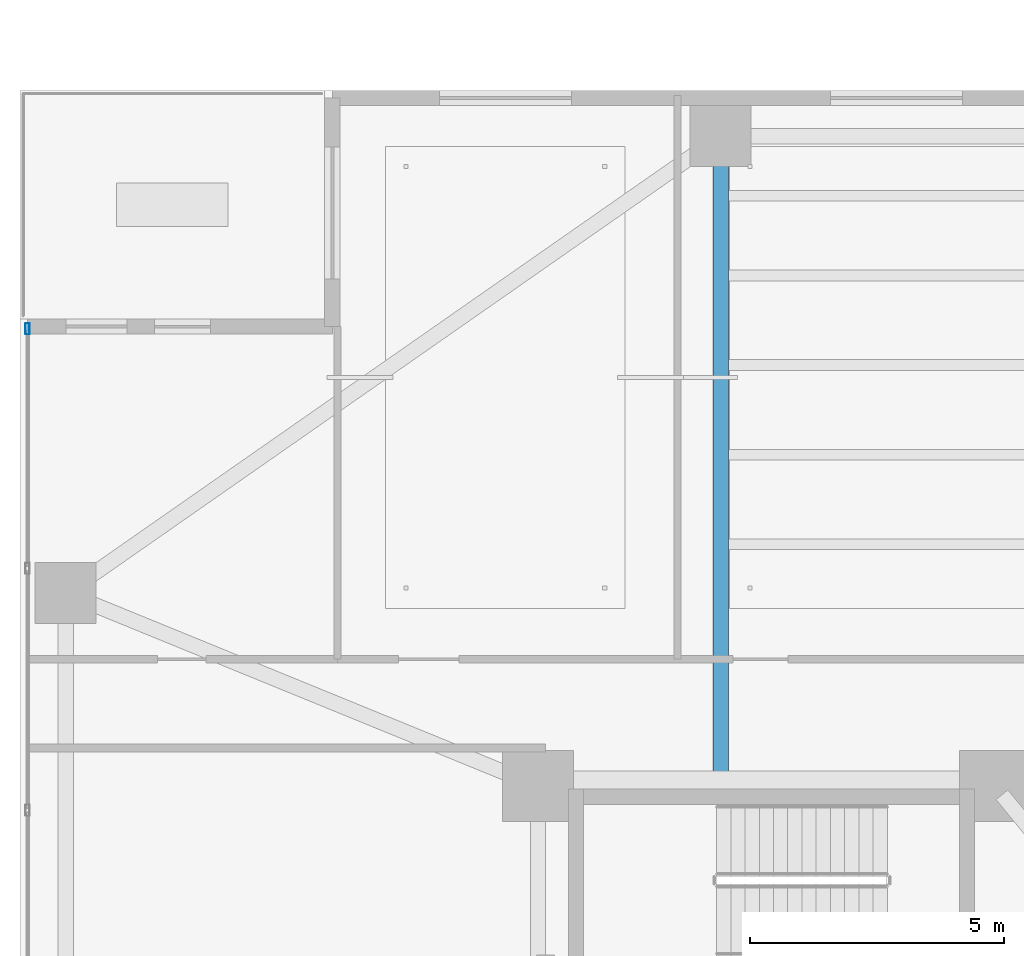
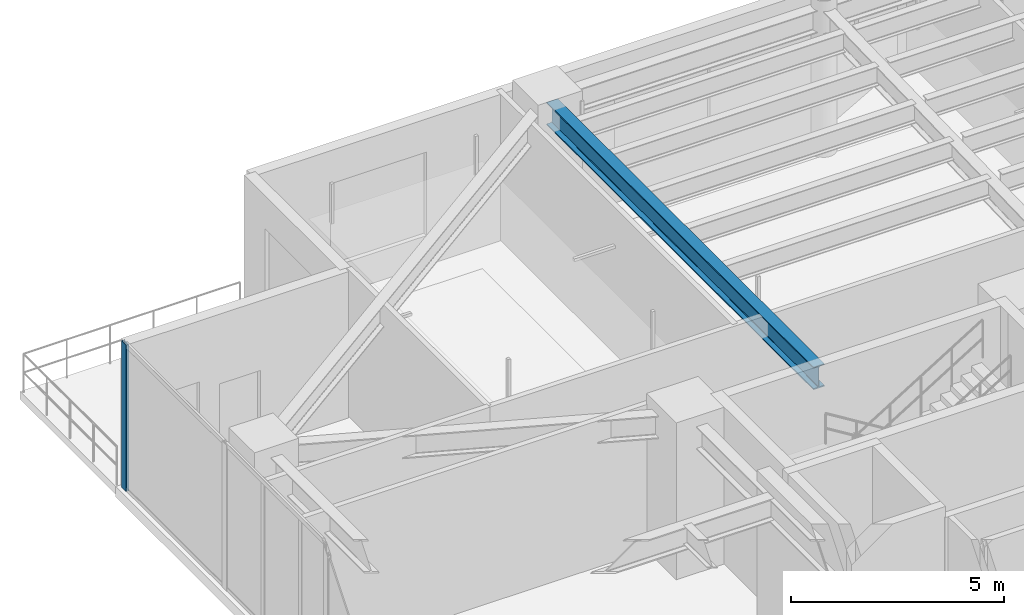
# One storey, part 19 of 40: 1 beam, 1 member, 1 element without a shape of its own.
"""IFC4 building model written with IfcOpenShell, lengths in metres."""

from ifc_helpers import new_model, si_unit, direction, frame, origin, origin_2d, place, context, subcontext, project, spatial, hollow_rectangle, i_section, extrude, material, layer, layer_set, material_profile, profile_set, type_object, element, aggregate, save


model = new_model("IFC4")

# Units and contexts
model_context = context("Model", 3, precision=1e-05, world=origin(), true_north=direction((0.0, 1.0)))
body_context = subcontext(model_context, "Body", "Model", "MODEL_VIEW")
ifc_project = project(units=[si_unit("LENGTHUNIT", "METRE"), si_unit("AREAUNIT", "SQUARE_METRE"), si_unit("VOLUMEUNIT", "CUBIC_METRE"), si_unit("PLANEANGLEUNIT", "RADIAN"), si_unit("MASSUNIT", "GRAM", prefix="KILO")], contexts=[model_context])

# Site, building, storey
site_placement = place(None, origin())
site = spatial("IfcSite", under=ifc_project, at=site_placement, CompositionType="ELEMENT")
building_placement = place(site_placement, origin())
building = spatial("IfcBuilding", under=site, at=building_placement, Name="Tarnavaz Court Tower", CompositionType="ELEMENT")
storey_placement = place(building_placement, frame((0.0, 0.0, 64.199951171875)))
storey = spatial("IfcBuildingStorey", under=building, at=storey_placement, Name="L17", CompositionType="ELEMENT", Elevation=64.199951171875)

# Beam
ifc_material_1 = material(Name="Steel S355", Category="steel")
ifc_material_profile_1 = material_profile(ifc_material_1, i_section(OverallWidth=0.300048828125, OverallDepth=0.64990234375, WebThickness=0.01611328125, FlangeThickness=0.031005859375, FilletRadius=0.027099609375, at=origin_2d()), Name="HEB 650")
ifc_profile_set_1 = profile_set([ifc_material_profile_1], Name="Steel S355")
beam_type = type_object("IfcBeamType", Name="BM-G-HEB650", PredefinedType="USERDEFINED", material=ifc_profile_set_1)
beam_placement = place(storey_placement, frame((-15.0, 10.0400390625, 3.875), z_axis=(0.0, 1.0, 0.0), x_axis=(-1.0, 0.0, 0.0)))
element("IfcBeam", 1, at=beam_placement, inside=storey, type_object=beam_type, Name="L17 Beam RG-01", ObjectType="GIRDER", PredefinedType="USERDEFINED", context=body_context, shape_type="SweptSolid", body=[
    extrude(i_section(OverallWidth=0.300048828125, OverallDepth=0.64990234375, WebThickness=0.01611328125, FlangeThickness=0.031005859375, FilletRadius=0.027099609375, at=origin_2d()), origin(), (0.0, 0.0, 1.0), 12.5400390625),
])

# Curtain wall, member
ifc_material_2 = material(Name="Anodised Aluminium 6063-T6 and Solar Low-E Glazing", Category="aluminium")
ifc_layer = layer(ifc_material_2, 0.199951171875)
ifc_layer_set = layer_set([ifc_layer], Name="Anodised Aluminium 6063-T6 and Solar Low-E Glazing")
curtain_wall_type = type_object("IfcCurtainWallType", Name="CW-SYS-05", PredefinedType="NOTDEFINED", material=ifc_layer_set)
curtain_wall_placement = place(storey_placement, origin())
curtain_wall = element("IfcCurtainWall", 2, at=curtain_wall_placement, inside=storey, type_object=curtain_wall_type, Name="L17 Sky-Portal Curtain Wall 2", PredefinedType="NOTDEFINED")
ifc_material_3 = material(Name="Anodised Aluminium 6063-T6", Category="aluminium")
ifc_material_profile_2 = material_profile(ifc_material_3, hollow_rectangle(XDim=0.0849609375, YDim=0.219970703125, WallThickness=0.006103515625, InnerFilletRadius=0.006103515625, OuterFilletRadius=0.011962890625, at=origin_2d()), Name="ALU RHS 220X85X6")
ifc_profile_set_2 = profile_set([ifc_material_profile_2], Name="Anodised Aluminium 6063-T6")
member_type = type_object("IfcMemberType", Name="CW-MUL-220", PredefinedType="MULLION", material=ifc_profile_set_2)
member_placement = place(storey_placement, frame((-28.64990234375, 19.007568359375, 0.0), z_axis=(0.0, 0.0, 1.0), x_axis=(-1.0, 0.0, 0.0)))
member = element("IfcMember", 3, at=member_placement, type_object=member_type, Name="CW mullion 9", PredefinedType="MULLION", context=body_context, shape_type="SweptSolid", body=[
    extrude(hollow_rectangle(XDim=0.0849609375, YDim=0.219970703125, WallThickness=0.006103515625, InnerFilletRadius=0.006103515625, OuterFilletRadius=0.011962890625, at=origin_2d()), origin(), (0.0, 0.0, 1.0), 4.199951171875),
])
aggregate(curtain_wall, [member])

save(model, "model.ifc")
